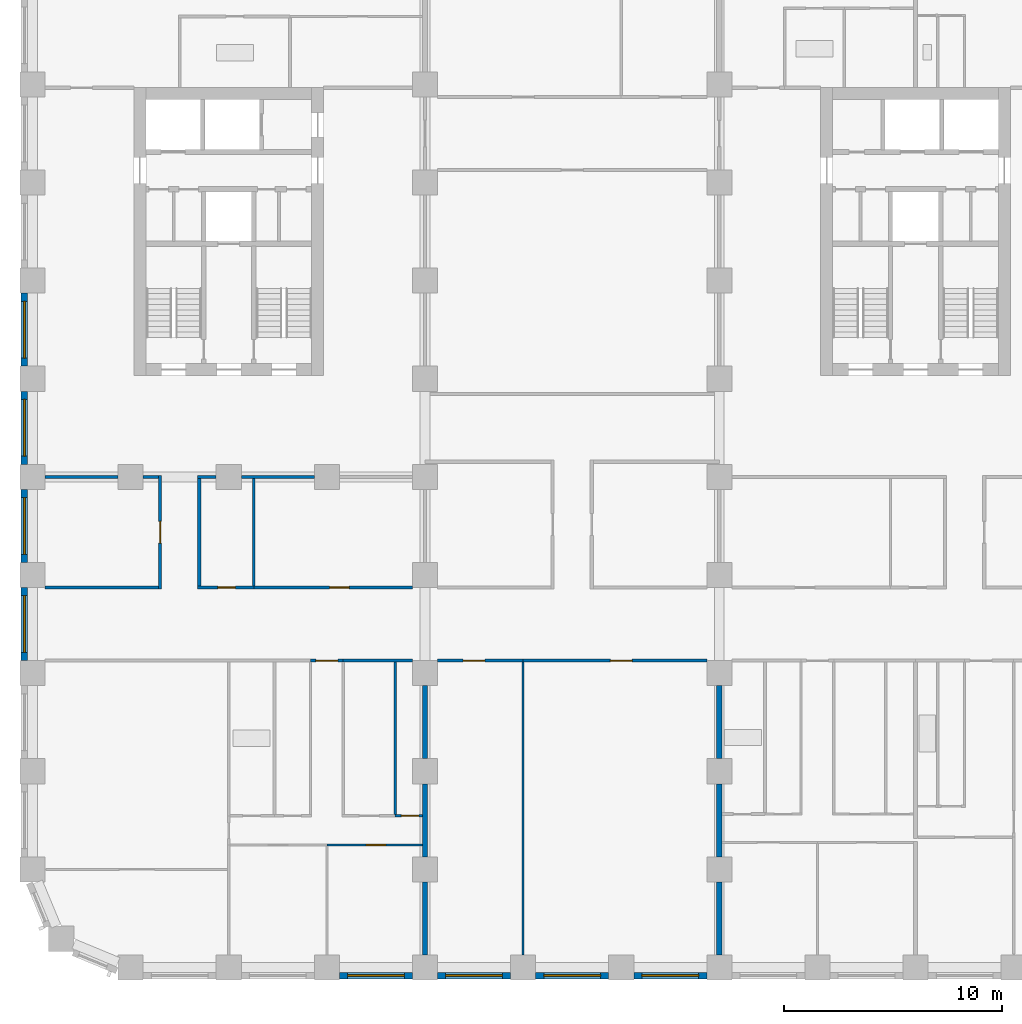
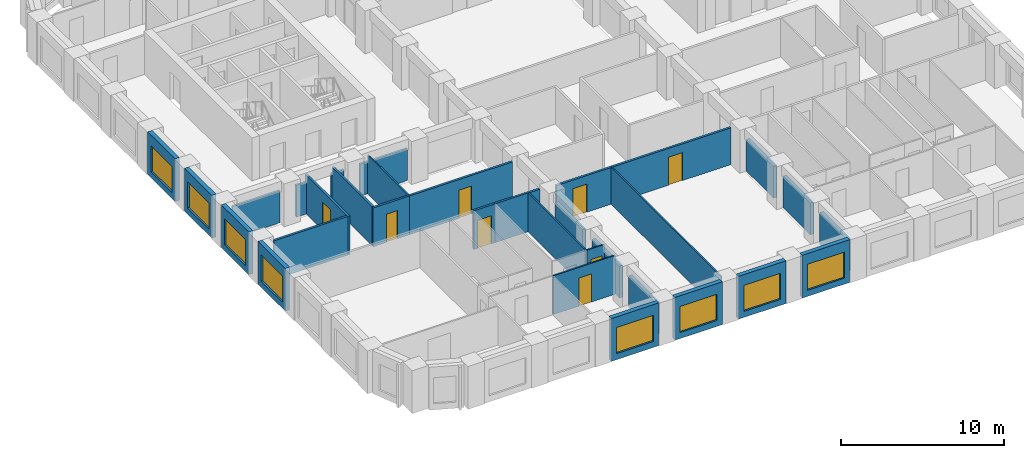
# One storey, part 3 of 12: 32 walls, 8 doors, 8 windows, 16 openings.
"""IFC4 building model written with IfcOpenShell, lengths in metres."""

from ifc_helpers import new_model, si_unit, direction, frame, frame_2d, origin, place, context, subcontext, project, spatial, rectangle, extrude, material, layer, layer_set, type_object, element, fill, save


model = new_model("IFC4")

# Units and contexts
model_context = context("Model", 3, precision=1e-05, world=origin(), true_north=direction((0.0, 1.0)))
body_context = subcontext(model_context, "Body", "Model", "MODEL_VIEW")
ifc_project = project(units=[si_unit("LENGTHUNIT", "METRE"), si_unit("AREAUNIT", "SQUARE_METRE"), si_unit("VOLUMEUNIT", "CUBIC_METRE"), si_unit("PLANEANGLEUNIT", "RADIAN"), si_unit("MASSUNIT", "GRAM", prefix="KILO")], contexts=[model_context])

# Site, building, storey
site_placement = place(None, origin())
site = spatial("IfcSite", under=ifc_project, at=site_placement, CompositionType="ELEMENT")
building_placement = place(site_placement, origin())
building = spatial("IfcBuilding", under=site, at=building_placement, Name="Girih Gate Residences", CompositionType="ELEMENT")
storey_placement = place(building_placement, frame((0.0, 0.0, 112.0)))
storey = spatial("IfcBuildingStorey", under=building, at=storey_placement, Name="L31", CompositionType="ELEMENT", Elevation=112.0)

# Walls
ifc_material_1 = material(Name="Gypsum board on steel studs", Category="steel")
ifc_layer_1 = layer(ifc_material_1, 0.25)
ifc_layer_set_1 = layer_set([ifc_layer_1], Name="Acoustic separating wall 250 mm")
wall_type_1 = type_object("IfcWallType", Name="Acoustic separating wall 250 mm", PredefinedType="PARTITIONING", material=ifc_layer_set_1)
for number, where, z_axis, x_axis, name in (
    (1, (18.0, 5.074951171875, 0.0), (0.0, 0.0, 1.0), (0.0, 1.0, 0.0), "L31 partition"),
    (2, (18.0, 0.574951171875, 0.0), (0.0, 0.0, 1.0), (0.0, 1.0, 0.0), "L31 partition"),
    (3, (18.0, 9.574951171875, 0.0), (0.0, 0.0, 1.0), (0.0, 1.0, 0.0), "L31 partition"),
    (4, (31.5, 9.574951171875, 0.0), (0.0, 0.0, 1.0), (0.0, 1.0, 0.0), "L31 partition"),
    (5, (31.5, 0.574951171875, 0.0), (0.0, 0.0, 1.0), (0.0, 1.0, 0.0), "L31 partition"),
    (6, (31.5, 5.074951171875, 0.0), (0.0, 0.0, 1.0), (0.0, 1.0, 0.0), "L31 partition"),
):
    element("IfcWall", number, at=place(storey_placement, frame(where, z_axis=z_axis, x_axis=x_axis)), inside=storey, type_object=wall_type_1, Name=name, PredefinedType="PARTITIONING", context=body_context, shape_type="SweptSolid", body=[
        extrude(rectangle(XDim=3.35009765625, YDim=0.25, at=frame_2d((1.675048828125, 0.0))), origin(), (0.0, 0.0, 1.0), 2.3798828125),
    ])

# Wall, opening, door
ifc_layer_2 = layer(ifc_material_1, 0.14990234375)
ifc_layer_set_2 = layer_set([ifc_layer_2], Name="Compartment wall 150 mm")
wall_type_2 = type_object("IfcWallType", Name="Compartment wall 150 mm", PredefinedType="PARTITIONING", material=ifc_layer_set_2)
wall_1_placement = place(storey_placement, frame((14.25, 14.074951171875, 0.0), z_axis=(0.0, 0.0, 1.0), x_axis=(-1.0, 0.0, 0.0)))
wall_1 = element("IfcWall", 7, at=wall_1_placement, inside=storey, type_object=wall_type_2, Name="L31 partition", PredefinedType="PARTITIONING", context=body_context, shape_type="SweptSolid", body=[
    extrude(rectangle(XDim=1.5, YDim=0.14990234375, at=frame_2d((0.75, 0.0))), origin(), (0.0, 0.0, 1.0), 2.89990234375),
])
opening_1_placement = place(wall_1_placement, frame((0.25, 0.0, 0.0)))
opening_1 = element("IfcOpeningElement", 8, at=opening_1_placement, cuts=wall_1, Name="Opening A31-009", PredefinedType="OPENING", context=body_context, shape_type="SweptSolid", body=[
    extrude(rectangle(XDim=1.0, YDim=2.10009765625, at=frame_2d((0.5, 1.050048828125))), frame((0.0, 0.0849609375, 0.0), z_axis=(0.0, -1.0, 0.0), x_axis=(1.0, 0.0, 0.0)), (0.0, 0.0, 1.0), 0.169921875),
])
ifc_material_2 = material(Name="Timber, fire-rated core", Category="wood")
door_type_1 = type_object("IfcDoorType", Name="Flat entrance door 1000x2100 FD30S", OperationType="NOTDEFINED", PredefinedType="DOOR", material=ifc_material_2)
door_1_placement = place(opening_1_placement, origin())
door_1 = element("IfcDoor", 9, at=door_1_placement, inside=storey, type_object=door_type_1, Name="Door A31-009", OperationType="SINGLE_SWING_RIGHT", OverallHeight=2.10009765625, OverallWidth=1.0, PredefinedType="DOOR", context=body_context, shape_type="SweptSolid", body=[
    extrude(rectangle(XDim=1.0, YDim=2.10009765625, at=frame_2d((0.5, 1.050048828125))), frame((0.0, 0.02490234375, 0.0), z_axis=(0.0, -1.0, 0.0), x_axis=(1.0, 0.0, 0.0)), (0.0, 0.0, 1.0), 0.050048828125),
])
fill(opening_1, door_1)

# Wall
wall_2_placement = place(storey_placement, frame((14.25, 14.074951171875, 0.0), z_axis=(0.0, 0.0, 1.0), x_axis=(1.0, 0.0, 0.0)))
element("IfcWall", 10, at=wall_2_placement, inside=storey, type_object=wall_type_2, Name="L31 partition", PredefinedType="PARTITIONING", context=body_context, shape_type="SweptSolid", body=[
    extrude(rectangle(XDim=3.175048828125, YDim=0.14990234375, at=frame_2d((1.58740234375, 0.0))), origin(), (0.0, 0.0, 1.0), 2.89990234375),
])

# Wall, opening, door
wall_3_placement = place(storey_placement, frame((22.5, 14.074951171875, 0.0), z_axis=(0.0, 0.0, 1.0), x_axis=(-1.0, 0.0, 0.0)))
wall_3 = element("IfcWall", 11, at=wall_3_placement, inside=storey, type_object=wall_type_2, Name="L31 partition", PredefinedType="PARTITIONING", context=body_context, shape_type="SweptSolid", body=[
    extrude(rectangle(XDim=3.925048828125, YDim=0.14990234375, at=frame_2d((1.96240234375, 0.0))), origin(), (0.0, 0.0, 1.0), 2.75),
])
opening_2_placement = place(wall_3_placement, frame((1.75, 0.0, 0.0)))
opening_2 = element("IfcOpeningElement", 12, at=opening_2_placement, cuts=wall_3, Name="Opening A31-044", PredefinedType="OPENING", context=body_context, shape_type="SweptSolid", body=[
    extrude(rectangle(XDim=1.0, YDim=2.10009765625, at=frame_2d((0.5, 1.050048828125))), frame((0.0, 0.0849609375, 0.0), z_axis=(0.0, -1.0, 0.0), x_axis=(1.0, 0.0, 0.0)), (0.0, 0.0, 1.0), 0.169921875),
])
door_type_2 = type_object("IfcDoorType", Name="Amenity room door 1000x2100 FD30S", OperationType="NOTDEFINED", PredefinedType="DOOR", material=ifc_material_2)
door_2_placement = place(opening_2_placement, origin())
door_2 = element("IfcDoor", 13, at=door_2_placement, inside=storey, type_object=door_type_2, Name="Door A31-044", OperationType="SINGLE_SWING_RIGHT", OverallHeight=2.10009765625, OverallWidth=1.0, PredefinedType="DOOR", context=body_context, shape_type="SweptSolid", body=[
    extrude(rectangle(XDim=1.0, YDim=2.10009765625, at=frame_2d((0.5, 1.050048828125))), frame((0.0, 0.02490234375, 0.0), z_axis=(0.0, -1.0, 0.0), x_axis=(1.0, 0.0, 0.0)), (0.0, 0.0, 1.0), 0.050048828125),
])
fill(opening_2, door_2)

wall_4_placement = place(storey_placement, frame((30.925048828125, 14.074951171875, 0.0), z_axis=(0.0, 0.0, 1.0), x_axis=(-1.0, 0.0, 0.0)))
wall_4 = element("IfcWall", 14, at=wall_4_placement, inside=storey, type_object=wall_type_2, Name="L31 partition", PredefinedType="PARTITIONING", context=body_context, shape_type="SweptSolid", body=[
    extrude(rectangle(XDim=8.425048828125, YDim=0.14990234375, at=frame_2d((4.21240234375, 0.0))), origin(), (0.0, 0.0, 1.0), 2.75),
])
opening_3_placement = place(wall_4_placement, frame((3.425048828125, 0.0, 0.0)))
opening_3 = element("IfcOpeningElement", 15, at=opening_3_placement, cuts=wall_4, Name="Opening A31-045", PredefinedType="OPENING", context=body_context, shape_type="SweptSolid", body=[
    extrude(rectangle(XDim=1.0, YDim=2.10009765625, at=frame_2d((0.5, 1.050048828125))), frame((0.0, 0.0849609375, 0.0), z_axis=(0.0, -1.0, 0.0), x_axis=(1.0, 0.0, 0.0)), (0.0, 0.0, 1.0), 0.169921875),
])
door_3_placement = place(opening_3_placement, origin())
door_3 = element("IfcDoor", 16, at=door_3_placement, inside=storey, type_object=door_type_2, Name="Door A31-045", OperationType="SINGLE_SWING_LEFT", OverallHeight=2.10009765625, OverallWidth=1.0, PredefinedType="DOOR", context=body_context, shape_type="SweptSolid", body=[
    extrude(rectangle(XDim=1.0, YDim=2.10009765625, at=frame_2d((0.5, 1.050048828125))), frame((0.0, 0.02490234375, 0.0), z_axis=(0.0, -1.0, 0.0), x_axis=(1.0, 0.0, 0.0)), (0.0, 0.0, 1.0), 0.050048828125),
])
fill(opening_3, door_3)

wall_5_placement = place(storey_placement, frame((10.14990234375, 17.425048828125, 0.0), z_axis=(0.0, 0.0, 1.0), x_axis=(1.0, 0.0, 0.0)))
wall_5 = element("IfcWall", 17, at=wall_5_placement, inside=storey, type_object=wall_type_2, Name="L31 partition", PredefinedType="PARTITIONING", context=body_context, shape_type="SweptSolid", body=[
    extrude(rectangle(XDim=7.275146484375, YDim=0.14990234375, at=frame_2d((3.6376953125, 0.0))), origin(), (0.0, 0.0, 1.0), 2.89990234375),
])
opening_4_placement = place(wall_5_placement, frame((3.47509765625, 0.0, 0.0)))
opening_4 = element("IfcOpeningElement", 18, at=opening_4_placement, cuts=wall_5, Name="Opening A31-049", PredefinedType="OPENING", context=body_context, shape_type="SweptSolid", body=[
    extrude(rectangle(XDim=0.89990234375, YDim=2.10009765625, at=frame_2d((0.449951171875, 1.050048828125))), frame((0.0, 0.0849609375, 0.0), z_axis=(0.0, -1.0, 0.0), x_axis=(1.0, 0.0, 0.0)), (0.0, 0.0, 1.0), 0.169921875),
])
ifc_material_3 = material(Name="Timber", Category="wood")
door_type_3 = type_object("IfcDoorType", Name="Service room door 900x2100", OperationType="NOTDEFINED", PredefinedType="DOOR", material=ifc_material_3)
door_4_placement = place(opening_4_placement, origin())
door_4 = element("IfcDoor", 19, at=door_4_placement, inside=storey, type_object=door_type_3, Name="Door A31-049", OperationType="SINGLE_SWING_RIGHT", OverallHeight=2.10009765625, OverallWidth=0.89990234375, PredefinedType="DOOR", context=body_context, shape_type="SweptSolid", body=[
    extrude(rectangle(XDim=0.89990234375, YDim=2.10009765625, at=frame_2d((0.449951171875, 1.050048828125))), frame((0.0, 0.02490234375, 0.0), z_axis=(0.0, -1.0, 0.0), x_axis=(1.0, 0.0, 0.0)), (0.0, 0.0, 1.0), 0.050048828125),
])
fill(opening_4, door_4)

wall_6_placement = place(storey_placement, frame((7.574951171875, 17.425048828125, 0.0), z_axis=(0.0, 0.0, 1.0), x_axis=(1.0, 0.0, 0.0)))
wall_6 = element("IfcWall", 20, at=wall_6_placement, inside=storey, type_object=wall_type_2, Name="L31 partition", PredefinedType="PARTITIONING", context=body_context, shape_type="SweptSolid", body=[
    extrude(rectangle(XDim=2.574951171875, YDim=0.14990234375, at=frame_2d((1.28759765625, 0.0))), origin(), (0.0, 0.0, 1.0), 2.89990234375),
])
opening_5_placement = place(wall_6_placement, frame((0.925048828125, 0.0, 0.0)))
opening_5 = element("IfcOpeningElement", 21, at=opening_5_placement, cuts=wall_6, Name="Opening A31-051", PredefinedType="OPENING", context=body_context, shape_type="SweptSolid", body=[
    extrude(rectangle(XDim=0.800048828125, YDim=2.10009765625, at=frame_2d((0.39990234375, 1.050048828125))), frame((0.0, 0.0849609375, 0.0), z_axis=(0.0, -1.0, 0.0), x_axis=(1.0, 0.0, 0.0)), (0.0, 0.0, 1.0), 0.169921875),
])
door_type_4 = type_object("IfcDoorType", Name="Bathroom door 800x2100", OperationType="NOTDEFINED", PredefinedType="DOOR", material=ifc_material_3)
door_5_placement = place(opening_5_placement, origin())
door_5 = element("IfcDoor", 22, at=door_5_placement, inside=storey, type_object=door_type_4, Name="Door A31-051", OperationType="SINGLE_SWING_RIGHT", OverallHeight=2.10009765625, OverallWidth=0.800048828125, PredefinedType="DOOR", context=body_context, shape_type="SweptSolid", body=[
    extrude(rectangle(XDim=0.800048828125, YDim=2.10009765625, at=frame_2d((0.39990234375, 1.050048828125))), frame((0.0, 0.02490234375, 0.0), z_axis=(0.0, -1.0, 0.0), x_axis=(1.0, 0.0, 0.0)), (0.0, 0.0, 1.0), 0.050048828125),
])
fill(opening_5, door_5)

# Walls
wall_7_placement = place(storey_placement, frame((0.574951171875, 17.425048828125, 0.0), z_axis=(0.0, 0.0, 1.0), x_axis=(1.0, 0.0, 0.0)))
element("IfcWall", 23, at=wall_7_placement, inside=storey, type_object=wall_type_2, Name="L31 partition", PredefinedType="PARTITIONING", context=body_context, shape_type="SweptSolid", body=[
    extrude(rectangle(XDim=5.199951171875, YDim=0.14990234375, at=frame_2d((2.60009765625, 0.0))), origin(), (0.0, 0.0, 1.0), 2.89990234375),
])
wall_8_placement = place(storey_placement, frame((9.574951171875, 22.5, 0.0), z_axis=(0.0, 0.0, 1.0), x_axis=(1.0, 0.0, 0.0)))
element("IfcWall", 24, at=wall_8_placement, inside=storey, type_object=wall_type_2, Name="L31 partition", PredefinedType="PARTITIONING", context=body_context, shape_type="SweptSolid", body=[
    extrude(rectangle(XDim=3.35009765625, YDim=0.14990234375, at=frame_2d((1.675048828125, 0.0))), origin(), (0.0, 0.0, 1.0), 2.3798828125),
])
wall_9_placement = place(storey_placement, frame((7.574951171875, 22.5, 0.0), z_axis=(0.0, 0.0, 1.0), x_axis=(1.0, 0.0, 0.0)))
element("IfcWall", 25, at=wall_9_placement, inside=storey, type_object=wall_type_2, Name="L31 partition", PredefinedType="PARTITIONING", context=body_context, shape_type="SweptSolid", body=[
    extrude(rectangle(XDim=0.85009765625, YDim=0.14990234375, at=frame_2d((0.425048828125, 0.0))), origin(), (0.0, 0.0, 1.0), 2.3798828125),
])
wall_10_placement = place(storey_placement, frame((5.074951171875, 22.5, 0.0), z_axis=(0.0, 0.0, 1.0), x_axis=(1.0, 0.0, 0.0)))
element("IfcWall", 26, at=wall_10_placement, inside=storey, type_object=wall_type_2, Name="L31 partition", PredefinedType="PARTITIONING", context=body_context, shape_type="SweptSolid", body=[
    extrude(rectangle(XDim=0.699951171875, YDim=0.14990234375, at=frame_2d((0.35009765625, 0.0))), origin(), (0.0, 0.0, 1.0), 2.3798828125),
])
wall_11_placement = place(storey_placement, frame((0.574951171875, 22.5, 0.0), z_axis=(0.0, 0.0, 1.0), x_axis=(1.0, 0.0, 0.0)))
element("IfcWall", 27, at=wall_11_placement, inside=storey, type_object=wall_type_2, Name="L31 partition", PredefinedType="PARTITIONING", context=body_context, shape_type="SweptSolid", body=[
    extrude(rectangle(XDim=3.35009765625, YDim=0.14990234375, at=frame_2d((1.675048828125, 0.0))), origin(), (0.0, 0.0, 1.0), 2.3798828125),
])
wall_12_placement = place(storey_placement, frame((7.64990234375, 17.5, 0.0), z_axis=(0.0, 0.0, 1.0), x_axis=(0.0, 1.0, 0.0)))
element("IfcWall", 28, at=wall_12_placement, inside=storey, type_object=wall_type_2, Name="L31 partition", PredefinedType="PARTITIONING", context=body_context, shape_type="SweptSolid", body=[
    extrude(rectangle(XDim=4.925048828125, YDim=0.14990234375, at=frame_2d((2.46240234375, 0.0))), origin(), (0.0, 0.0, 1.0), 2.89990234375),
])

# Wall, opening, door
wall_13_placement = place(storey_placement, frame((5.85009765625, 17.35009765625, 0.0), z_axis=(0.0, 0.0, 1.0), x_axis=(0.0, 1.0, 0.0)))
wall_13 = element("IfcWall", 29, at=wall_13_placement, inside=storey, type_object=wall_type_2, Name="L31 partition", PredefinedType="PARTITIONING", context=body_context, shape_type="SweptSolid", body=[
    extrude(rectangle(XDim=5.224853515625, YDim=0.14990234375, at=frame_2d((2.6123046875, 0.0))), origin(), (0.0, 0.0, 1.0), 2.89990234375),
])
opening_6_placement = place(wall_13_placement, frame((2.112548828125, 0.0, 0.0)))
opening_6 = element("IfcOpeningElement", 30, at=opening_6_placement, cuts=wall_13, Name="Opening A31-053", PredefinedType="OPENING", context=body_context, shape_type="SweptSolid", body=[
    extrude(rectangle(XDim=1.0, YDim=2.10009765625, at=frame_2d((0.5, 1.050048828125))), frame((0.0, 0.0849609375, 0.0), z_axis=(0.0, -1.0, 0.0), x_axis=(1.0, 0.0, 0.0)), (0.0, 0.0, 1.0), 0.169921875),
])
door_6_placement = place(opening_6_placement, origin())
door_6 = element("IfcDoor", 31, at=door_6_placement, inside=storey, type_object=door_type_2, Name="Door A31-053", OperationType="SINGLE_SWING_LEFT", OverallHeight=2.10009765625, OverallWidth=1.0, PredefinedType="DOOR", context=body_context, shape_type="SweptSolid", body=[
    extrude(rectangle(XDim=1.0, YDim=2.10009765625, at=frame_2d((0.5, 1.050048828125))), frame((0.0, 0.02490234375, 0.0), z_axis=(0.0, -1.0, 0.0), x_axis=(1.0, 0.0, 0.0)), (0.0, 0.0, 1.0), 0.050048828125),
])
fill(opening_6, door_6)

ifc_layer_3 = layer(ifc_material_1, 0.10009765625)
ifc_layer_set_3 = layer_set([ifc_layer_3], Name="Partition 100 mm")
wall_type_3 = type_object("IfcWallType", Name="Partition 100 mm", PredefinedType="PARTITIONING", material=ifc_layer_set_3)
wall_14_placement = place(storey_placement, frame((17.875, 5.614990234375, 0.0), z_axis=(0.0, 0.0, 1.0), x_axis=(-1.0, 0.0, 0.0)))
wall_14 = element("IfcWall", 32, at=wall_14_placement, inside=storey, type_object=wall_type_3, Name="L31 partition", PredefinedType="PARTITIONING", context=body_context, shape_type="SweptSolid", body=[
    extrude(rectangle(XDim=4.375, YDim=0.10009765625, at=frame_2d((2.1875, 0.0))), origin(), (0.0, 0.0, 1.0), 2.89990234375),
])
opening_7_placement = place(wall_14_placement, frame((1.675048828125, 0.0, 0.0)))
opening_7 = element("IfcOpeningElement", 33, at=opening_7_placement, cuts=wall_14, Name="Opening A31-003", PredefinedType="OPENING", context=body_context, shape_type="SweptSolid", body=[
    extrude(rectangle(XDim=0.89990234375, YDim=2.10009765625, at=frame_2d((0.449951171875, 1.050048828125))), frame((0.0, 0.06005859375, 0.0), z_axis=(0.0, -1.0, 0.0), x_axis=(1.0, 0.0, 0.0)), (0.0, 0.0, 1.0), 0.1201171875),
])
door_type_5 = type_object("IfcDoorType", Name="Bedroom door 900x2100", OperationType="NOTDEFINED", PredefinedType="DOOR", material=ifc_material_3)
door_7_placement = place(opening_7_placement, origin())
door_7 = element("IfcDoor", 34, at=door_7_placement, inside=storey, type_object=door_type_5, Name="Door A31-003", OperationType="SINGLE_SWING_LEFT", OverallHeight=2.10009765625, OverallWidth=0.89990234375, PredefinedType="DOOR", context=body_context, shape_type="SweptSolid", body=[
    extrude(rectangle(XDim=0.89990234375, YDim=2.10009765625, at=frame_2d((0.449951171875, 1.050048828125))), frame((0.0, 0.02490234375, 0.0), z_axis=(0.0, -1.0, 0.0), x_axis=(1.0, 0.0, 0.0)), (0.0, 0.0, 1.0), 0.050048828125),
])
fill(opening_7, door_7)

wall_15_placement = place(storey_placement, frame((16.635009765625, 6.955078125, 0.0), z_axis=(0.0, 0.0, 1.0), x_axis=(1.0, 0.0, 0.0)))
wall_15 = element("IfcWall", 35, at=wall_15_placement, inside=storey, type_object=wall_type_3, Name="L31 partition", PredefinedType="PARTITIONING", context=body_context, shape_type="SweptSolid", body=[
    extrude(rectangle(XDim=1.239990234375, YDim=0.10009765625, at=frame_2d((0.6201171875, 0.0))), origin(), (0.0, 0.0, 1.0), 2.89990234375),
])
opening_8_placement = place(wall_15_placement, frame((0.282470703125, 0.0, 0.0)))
opening_8 = element("IfcOpeningElement", 36, at=opening_8_placement, cuts=wall_15, Name="Opening A31-007", PredefinedType="OPENING", context=body_context, shape_type="SweptSolid", body=[
    extrude(rectangle(XDim=0.800048828125, YDim=2.10009765625, at=frame_2d((0.39990234375, 1.050048828125))), frame((0.0, 0.06005859375, 0.0), z_axis=(0.0, -1.0, 0.0), x_axis=(1.0, 0.0, 0.0)), (0.0, 0.0, 1.0), 0.1201171875),
])
door_type_6 = type_object("IfcDoorType", Name="Store door 800x2100", OperationType="NOTDEFINED", PredefinedType="DOOR", material=ifc_material_3)
door_8_placement = place(opening_8_placement, origin())
door_8 = element("IfcDoor", 37, at=door_8_placement, inside=storey, type_object=door_type_6, Name="Door A31-007", OperationType="SINGLE_SWING_RIGHT", OverallHeight=2.10009765625, OverallWidth=0.800048828125, PredefinedType="DOOR", context=body_context, shape_type="SweptSolid", body=[
    extrude(rectangle(XDim=0.800048828125, YDim=2.10009765625, at=frame_2d((0.39990234375, 1.050048828125))), frame((0.0, 0.02490234375, 0.0), z_axis=(0.0, -1.0, 0.0), x_axis=(1.0, 0.0, 0.0)), (0.0, 0.0, 1.0), 0.050048828125),
])
fill(opening_8, door_8)

# Walls
wall_16_placement = place(storey_placement, frame((16.635009765625, 7.0048828125, 0.0), z_axis=(0.0, 0.0, 1.0), x_axis=(0.0, 1.0, 0.0)))
element("IfcWall", 38, at=wall_16_placement, inside=storey, type_object=wall_type_3, Name="L31 partition", PredefinedType="PARTITIONING", context=body_context, shape_type="SweptSolid", body=[
    extrude(rectangle(XDim=6.9951171875, YDim=0.10009765625, at=frame_2d((3.49755859375, 0.0))), origin(), (0.0, 0.0, 1.0), 2.89990234375),
])
wall_17_placement = place(storey_placement, frame((22.5, 0.574951171875, 0.0), z_axis=(0.0, 0.0, 1.0), x_axis=(0.0, 1.0, 0.0)))
element("IfcWall", 39, at=wall_17_placement, inside=storey, type_object=wall_type_3, Name="L31 partition", PredefinedType="PARTITIONING", context=body_context, shape_type="SweptSolid", body=[
    extrude(rectangle(XDim=13.425048828125, YDim=0.10009765625, at=frame_2d((6.71240234375, 0.0))), origin(), (0.0, 0.0, 1.0), 2.75),
])
wall_18_placement = place(storey_placement, frame((10.14990234375, 17.5, 0.0), z_axis=(0.0, 0.0, 1.0), x_axis=(0.0, 1.0, 0.0)))
element("IfcWall", 40, at=wall_18_placement, inside=storey, type_object=wall_type_3, Name="L31 partition", PredefinedType="PARTITIONING", context=body_context, shape_type="SweptSolid", body=[
    extrude(rectangle(XDim=4.925048828125, YDim=0.10009765625, at=frame_2d((2.46240234375, 0.0))), origin(), (0.0, 0.0, 1.0), 2.89990234375),
])

# Wall, opening, window
ifc_material_4 = material(Name="Precast concrete C50/60", Category="concrete")
ifc_layer_4 = layer(ifc_material_4, 0.080078125, Name="Outer leaf")
ifc_material_5 = material(Name="Rigid PIR insulation")
ifc_layer_5 = layer(ifc_material_5, 0.14990234375, Name="Insulation")
ifc_material_6 = material(Name="Precast concrete C40/50", Category="concrete")
ifc_layer_6 = layer(ifc_material_6, 0.070068359375, Name="Inner leaf")
ifc_layer_set_4 = layer_set([ifc_layer_4, ifc_layer_5, ifc_layer_6], Name="Precast concrete C50/60 external wall 300")
wall_type_4 = type_object("IfcWallType", Name="Precast concrete C50/60 external wall 300", PredefinedType="SOLIDWALL", material=ifc_layer_set_4)
wall_19_placement = place(storey_placement, frame((17.425048828125, -0.375, 0.0), z_axis=(0.0, 0.0, 1.0), x_axis=(-1.0, 0.0, 0.0)))
wall_19 = element("IfcWall", 41, at=wall_19_placement, inside=storey, type_object=wall_type_4, Name="External wall S0045_0000.2", PredefinedType="SOLIDWALL", context=body_context, shape_type="SweptSolid", body=[
    extrude(rectangle(XDim=3.35009765625, YDim=0.300048828125, at=frame_2d((1.675048828125, 0.0))), origin(), (0.0, 0.0, 1.0), 3.199951171875),
])
opening_9_placement = place(wall_19_placement, frame((0.375, 0.0, 0.449951171875)))
opening_9 = element("IfcOpeningElement", 42, at=opening_9_placement, cuts=wall_19, Name="Opening W-1A", PredefinedType="OPENING", context=body_context, shape_type="SweptSolid", body=[
    extrude(rectangle(XDim=2.60009765625, YDim=1.949951171875, at=frame_2d((1.300048828125, 0.97509765625))), frame((0.0, 0.159912109375, 0.0), z_axis=(0.0, -1.0, 0.0), x_axis=(1.0, 0.0, 0.0)), (0.0, 0.0, 1.0), 0.320068359375),
])
ifc_material_7 = material(Name="Double glazing in aluminium frame", Category="aluminium")
window_type = type_object("IfcWindowType", Name="Window W-1A 2600x1950", PartitioningType="SINGLE_PANEL", PredefinedType="WINDOW", material=ifc_material_7)
window_1_placement = place(opening_9_placement, origin())
window_1 = element("IfcWindow", 43, at=window_1_placement, inside=storey, type_object=window_type, Name="Window W-1A S0045_0000.2", OverallHeight=1.949951171875, OverallWidth=2.60009765625, PartitioningType="SINGLE_PANEL", PredefinedType="WINDOW", context=body_context, shape_type="SweptSolid", body=[
    extrude(rectangle(XDim=2.60009765625, YDim=1.949951171875, at=frame_2d((1.300048828125, 0.97509765625))), frame((0.0, 0.030029296875, 0.0), z_axis=(0.0, -1.0, 0.0), x_axis=(1.0, 0.0, 0.0)), (0.0, 0.0, 1.0), 0.06005859375),
])
fill(opening_9, window_1)

wall_20_placement = place(storey_placement, frame((21.925048828125, -0.375, 0.0), z_axis=(0.0, 0.0, 1.0), x_axis=(-1.0, 0.0, 0.0)))
wall_20 = element("IfcWall", 44, at=wall_20_placement, inside=storey, type_object=wall_type_4, Name="External wall S0045_0000.3", PredefinedType="SOLIDWALL", context=body_context, shape_type="SweptSolid", body=[
    extrude(rectangle(XDim=3.35009765625, YDim=0.300048828125, at=frame_2d((1.675048828125, 0.0))), origin(), (0.0, 0.0, 1.0), 3.199951171875),
])
opening_10_placement = place(wall_20_placement, frame((0.375, 0.0, 0.449951171875)))
opening_10 = element("IfcOpeningElement", 45, at=opening_10_placement, cuts=wall_20, Name="Opening W-1A", PredefinedType="OPENING", context=body_context, shape_type="SweptSolid", body=[
    extrude(rectangle(XDim=2.60009765625, YDim=1.949951171875, at=frame_2d((1.300048828125, 0.97509765625))), frame((0.0, 0.159912109375, 0.0), z_axis=(0.0, -1.0, 0.0), x_axis=(1.0, 0.0, 0.0)), (0.0, 0.0, 1.0), 0.320068359375),
])
window_2_placement = place(opening_10_placement, origin())
window_2 = element("IfcWindow", 46, at=window_2_placement, inside=storey, type_object=window_type, Name="Window W-1A S0045_0000.3", OverallHeight=1.949951171875, OverallWidth=2.60009765625, PartitioningType="SINGLE_PANEL", PredefinedType="WINDOW", context=body_context, shape_type="SweptSolid", body=[
    extrude(rectangle(XDim=2.60009765625, YDim=1.949951171875, at=frame_2d((1.300048828125, 0.97509765625))), frame((0.0, 0.030029296875, 0.0), z_axis=(0.0, -1.0, 0.0), x_axis=(1.0, 0.0, 0.0)), (0.0, 0.0, 1.0), 0.06005859375),
])
fill(opening_10, window_2)

wall_21_placement = place(storey_placement, frame((26.425048828125, -0.375, 0.0), z_axis=(0.0, 0.0, 1.0), x_axis=(-1.0, 0.0, 0.0)))
wall_21 = element("IfcWall", 47, at=wall_21_placement, inside=storey, type_object=wall_type_4, Name="External wall S0045_0000.4", PredefinedType="SOLIDWALL", context=body_context, shape_type="SweptSolid", body=[
    extrude(rectangle(XDim=3.35009765625, YDim=0.300048828125, at=frame_2d((1.675048828125, 0.0))), origin(), (0.0, 0.0, 1.0), 3.199951171875),
])
opening_11_placement = place(wall_21_placement, frame((0.375, 0.0, 0.449951171875)))
opening_11 = element("IfcOpeningElement", 48, at=opening_11_placement, cuts=wall_21, Name="Opening W-1A", PredefinedType="OPENING", context=body_context, shape_type="SweptSolid", body=[
    extrude(rectangle(XDim=2.60009765625, YDim=1.949951171875, at=frame_2d((1.300048828125, 0.97509765625))), frame((0.0, 0.159912109375, 0.0), z_axis=(0.0, -1.0, 0.0), x_axis=(1.0, 0.0, 0.0)), (0.0, 0.0, 1.0), 0.320068359375),
])
window_3_placement = place(opening_11_placement, origin())
window_3 = element("IfcWindow", 49, at=window_3_placement, inside=storey, type_object=window_type, Name="Window W-1A S0045_0000.4", OverallHeight=1.949951171875, OverallWidth=2.60009765625, PartitioningType="SINGLE_PANEL", PredefinedType="WINDOW", context=body_context, shape_type="SweptSolid", body=[
    extrude(rectangle(XDim=2.60009765625, YDim=1.949951171875, at=frame_2d((1.300048828125, 0.97509765625))), frame((0.0, 0.030029296875, 0.0), z_axis=(0.0, -1.0, 0.0), x_axis=(1.0, 0.0, 0.0)), (0.0, 0.0, 1.0), 0.06005859375),
])
fill(opening_11, window_3)

wall_22_placement = place(storey_placement, frame((30.925048828125, -0.375, 0.0), z_axis=(0.0, 0.0, 1.0), x_axis=(-1.0, 0.0, 0.0)))
wall_22 = element("IfcWall", 50, at=wall_22_placement, inside=storey, type_object=wall_type_4, Name="External wall S0045_0000.5", PredefinedType="SOLIDWALL", context=body_context, shape_type="SweptSolid", body=[
    extrude(rectangle(XDim=3.35009765625, YDim=0.300048828125, at=frame_2d((1.675048828125, 0.0))), origin(), (0.0, 0.0, 1.0), 3.199951171875),
])
opening_12_placement = place(wall_22_placement, frame((0.375, 0.0, 0.449951171875)))
opening_12 = element("IfcOpeningElement", 51, at=opening_12_placement, cuts=wall_22, Name="Opening W-1A", PredefinedType="OPENING", context=body_context, shape_type="SweptSolid", body=[
    extrude(rectangle(XDim=2.60009765625, YDim=1.949951171875, at=frame_2d((1.300048828125, 0.97509765625))), frame((0.0, 0.159912109375, 0.0), z_axis=(0.0, -1.0, 0.0), x_axis=(1.0, 0.0, 0.0)), (0.0, 0.0, 1.0), 0.320068359375),
])
window_4_placement = place(opening_12_placement, origin())
window_4 = element("IfcWindow", 52, at=window_4_placement, inside=storey, type_object=window_type, Name="Window W-1A S0045_0000.5", OverallHeight=1.949951171875, OverallWidth=2.60009765625, PartitioningType="SINGLE_PANEL", PredefinedType="WINDOW", context=body_context, shape_type="SweptSolid", body=[
    extrude(rectangle(XDim=2.60009765625, YDim=1.949951171875, at=frame_2d((1.300048828125, 0.97509765625))), frame((0.0, 0.030029296875, 0.0), z_axis=(0.0, -1.0, 0.0), x_axis=(1.0, 0.0, 0.0)), (0.0, 0.0, 1.0), 0.06005859375),
])
fill(opening_12, window_4)

wall_23_placement = place(storey_placement, frame((-0.375, 27.574951171875, 0.0), z_axis=(0.0, 0.0, 1.0), x_axis=(0.0, 1.0, 0.0)))
wall_23 = element("IfcWall", 53, at=wall_23_placement, inside=storey, type_object=wall_type_4, Name="External wall W0000_0450.3", PredefinedType="SOLIDWALL", context=body_context, shape_type="SweptSolid", body=[
    extrude(rectangle(XDim=3.35009765625, YDim=0.300048828125, at=frame_2d((1.675048828125, 0.0))), origin(), (0.0, 0.0, 1.0), 3.199951171875),
])
opening_13_placement = place(wall_23_placement, frame((0.375, 0.0, 0.449951171875)))
opening_13 = element("IfcOpeningElement", 54, at=opening_13_placement, cuts=wall_23, Name="Opening W-1A", PredefinedType="OPENING", context=body_context, shape_type="SweptSolid", body=[
    extrude(rectangle(XDim=2.60009765625, YDim=1.949951171875, at=frame_2d((1.300048828125, 0.97509765625))), frame((0.0, 0.159912109375, 0.0), z_axis=(0.0, -1.0, 0.0), x_axis=(1.0, 0.0, 0.0)), (0.0, 0.0, 1.0), 0.320068359375),
])
window_5_placement = place(opening_13_placement, origin())
window_5 = element("IfcWindow", 55, at=window_5_placement, inside=storey, type_object=window_type, Name="Window W-1A W0000_0450.3", OverallHeight=1.949951171875, OverallWidth=2.60009765625, PartitioningType="SINGLE_PANEL", PredefinedType="WINDOW", context=body_context, shape_type="SweptSolid", body=[
    extrude(rectangle(XDim=2.60009765625, YDim=1.949951171875, at=frame_2d((1.300048828125, 0.97509765625))), frame((0.0, 0.030029296875, 0.0), z_axis=(0.0, -1.0, 0.0), x_axis=(1.0, 0.0, 0.0)), (0.0, 0.0, 1.0), 0.06005859375),
])
fill(opening_13, window_5)

wall_24_placement = place(storey_placement, frame((-0.375, 23.074951171875, 0.0), z_axis=(0.0, 0.0, 1.0), x_axis=(0.0, 1.0, 0.0)))
wall_24 = element("IfcWall", 56, at=wall_24_placement, inside=storey, type_object=wall_type_4, Name="External wall W0000_0450.4", PredefinedType="SOLIDWALL", context=body_context, shape_type="SweptSolid", body=[
    extrude(rectangle(XDim=3.35009765625, YDim=0.300048828125, at=frame_2d((1.675048828125, 0.0))), origin(), (0.0, 0.0, 1.0), 3.199951171875),
])
opening_14_placement = place(wall_24_placement, frame((0.375, 0.0, 0.449951171875)))
opening_14 = element("IfcOpeningElement", 57, at=opening_14_placement, cuts=wall_24, Name="Opening W-1A", PredefinedType="OPENING", context=body_context, shape_type="SweptSolid", body=[
    extrude(rectangle(XDim=2.60009765625, YDim=1.949951171875, at=frame_2d((1.300048828125, 0.97509765625))), frame((0.0, 0.159912109375, 0.0), z_axis=(0.0, -1.0, 0.0), x_axis=(1.0, 0.0, 0.0)), (0.0, 0.0, 1.0), 0.320068359375),
])
window_6_placement = place(opening_14_placement, origin())
window_6 = element("IfcWindow", 58, at=window_6_placement, inside=storey, type_object=window_type, Name="Window W-1A W0000_0450.4", OverallHeight=1.949951171875, OverallWidth=2.60009765625, PartitioningType="SINGLE_PANEL", PredefinedType="WINDOW", context=body_context, shape_type="SweptSolid", body=[
    extrude(rectangle(XDim=2.60009765625, YDim=1.949951171875, at=frame_2d((1.300048828125, 0.97509765625))), frame((0.0, 0.030029296875, 0.0), z_axis=(0.0, -1.0, 0.0), x_axis=(1.0, 0.0, 0.0)), (0.0, 0.0, 1.0), 0.06005859375),
])
fill(opening_14, window_6)

wall_25_placement = place(storey_placement, frame((-0.375, 18.574951171875, 0.0), z_axis=(0.0, 0.0, 1.0), x_axis=(0.0, 1.0, 0.0)))
wall_25 = element("IfcWall", 59, at=wall_25_placement, inside=storey, type_object=wall_type_4, Name="External wall W0000_0450.5", PredefinedType="SOLIDWALL", context=body_context, shape_type="SweptSolid", body=[
    extrude(rectangle(XDim=3.35009765625, YDim=0.300048828125, at=frame_2d((1.675048828125, 0.0))), origin(), (0.0, 0.0, 1.0), 3.199951171875),
])
opening_15_placement = place(wall_25_placement, frame((0.375, 0.0, 0.449951171875)))
opening_15 = element("IfcOpeningElement", 60, at=opening_15_placement, cuts=wall_25, Name="Opening W-1A", PredefinedType="OPENING", context=body_context, shape_type="SweptSolid", body=[
    extrude(rectangle(XDim=2.60009765625, YDim=1.949951171875, at=frame_2d((1.300048828125, 0.97509765625))), frame((0.0, 0.159912109375, 0.0), z_axis=(0.0, -1.0, 0.0), x_axis=(1.0, 0.0, 0.0)), (0.0, 0.0, 1.0), 0.320068359375),
])
window_7_placement = place(opening_15_placement, origin())
window_7 = element("IfcWindow", 61, at=window_7_placement, inside=storey, type_object=window_type, Name="Window W-1A W0000_0450.5", OverallHeight=1.949951171875, OverallWidth=2.60009765625, PartitioningType="SINGLE_PANEL", PredefinedType="WINDOW", context=body_context, shape_type="SweptSolid", body=[
    extrude(rectangle(XDim=2.60009765625, YDim=1.949951171875, at=frame_2d((1.300048828125, 0.97509765625))), frame((0.0, 0.030029296875, 0.0), z_axis=(0.0, -1.0, 0.0), x_axis=(1.0, 0.0, 0.0)), (0.0, 0.0, 1.0), 0.06005859375),
])
fill(opening_15, window_7)

wall_26_placement = place(storey_placement, frame((-0.375, 14.074951171875, 0.0), z_axis=(0.0, 0.0, 1.0), x_axis=(0.0, 1.0, 0.0)))
wall_26 = element("IfcWall", 62, at=wall_26_placement, inside=storey, type_object=wall_type_4, Name="External wall W0000_0450.6", PredefinedType="SOLIDWALL", context=body_context, shape_type="SweptSolid", body=[
    extrude(rectangle(XDim=3.35009765625, YDim=0.300048828125, at=frame_2d((1.675048828125, 0.0))), origin(), (0.0, 0.0, 1.0), 3.199951171875),
])
opening_16_placement = place(wall_26_placement, frame((0.375, 0.0, 0.449951171875)))
opening_16 = element("IfcOpeningElement", 63, at=opening_16_placement, cuts=wall_26, Name="Opening W-1A", PredefinedType="OPENING", context=body_context, shape_type="SweptSolid", body=[
    extrude(rectangle(XDim=2.60009765625, YDim=1.949951171875, at=frame_2d((1.300048828125, 0.97509765625))), frame((0.0, 0.159912109375, 0.0), z_axis=(0.0, -1.0, 0.0), x_axis=(1.0, 0.0, 0.0)), (0.0, 0.0, 1.0), 0.320068359375),
])
window_8_placement = place(opening_16_placement, origin())
window_8 = element("IfcWindow", 64, at=window_8_placement, inside=storey, type_object=window_type, Name="Window W-1A W0000_0450.6", OverallHeight=1.949951171875, OverallWidth=2.60009765625, PartitioningType="SINGLE_PANEL", PredefinedType="WINDOW", context=body_context, shape_type="SweptSolid", body=[
    extrude(rectangle(XDim=2.60009765625, YDim=1.949951171875, at=frame_2d((1.300048828125, 0.97509765625))), frame((0.0, 0.030029296875, 0.0), z_axis=(0.0, -1.0, 0.0), x_axis=(1.0, 0.0, 0.0)), (0.0, 0.0, 1.0), 0.06005859375),
])
fill(opening_16, window_8)

save(model, "model.ifc")
